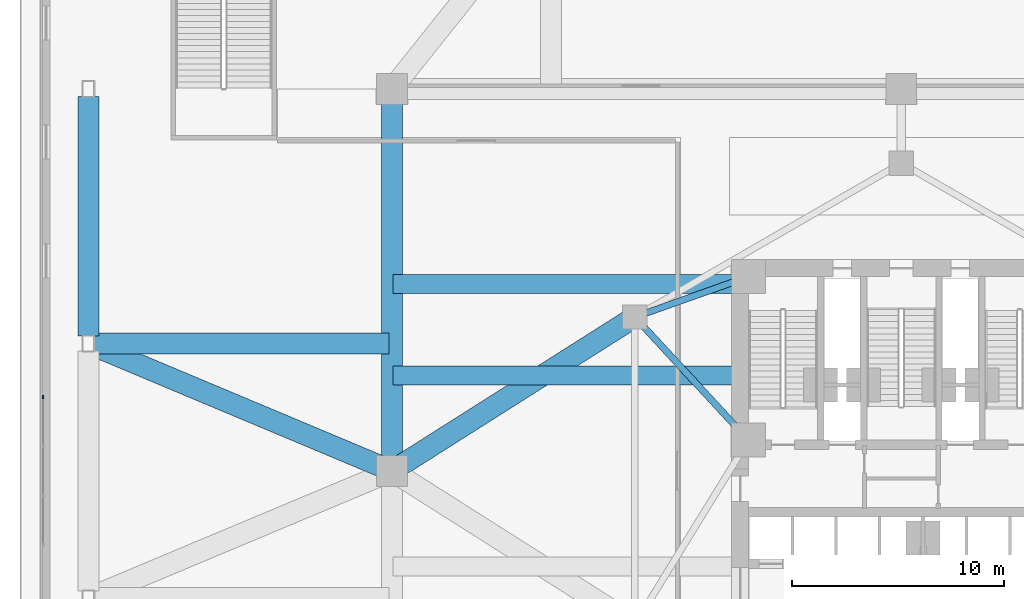
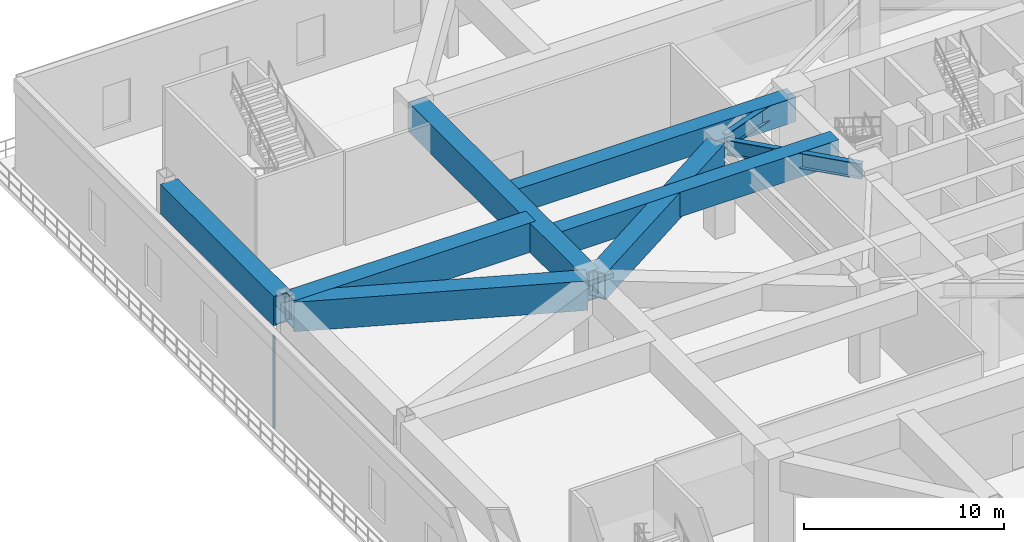
# One storey, part 6 of 25: 9 beams, 1 member, 1 element without a shape of its own.
"""IFC4 building model written with IfcOpenShell, lengths in metres."""

from ifc_helpers import new_model, si_unit, direction, frame, origin, origin_2d, place, context, subcontext, project, spatial, rectangle, hollow_rectangle, i_section, extrude, material, layer, layer_set, material_profile, profile_set, type_object, element, aggregate, save


model = new_model("IFC4")

# Units and contexts
model_context = context("Model", 3, precision=1e-05, world=origin(), true_north=direction((0.0, 1.0)))
body_context = subcontext(model_context, "Body", "Model", "MODEL_VIEW")
ifc_project = project(units=[si_unit("LENGTHUNIT", "METRE"), si_unit("AREAUNIT", "SQUARE_METRE"), si_unit("VOLUMEUNIT", "CUBIC_METRE"), si_unit("PLANEANGLEUNIT", "RADIAN"), si_unit("MASSUNIT", "GRAM", prefix="KILO")], contexts=[model_context])

# Site, building, storey
site_placement = place(None, origin())
site = spatial("IfcSite", under=ifc_project, at=site_placement, CompositionType="ELEMENT")
building_placement = place(site_placement, origin())
building = spatial("IfcBuilding", under=site, at=building_placement, Name="Apsidion Concourse Tower", CompositionType="ELEMENT")
storey_placement = place(building_placement, frame((0.0, 0.0, 11.5)))
storey = spatial("IfcBuildingStorey", under=building, at=storey_placement, Name="L02", CompositionType="ELEMENT", Elevation=11.5)

# Beams
ifc_material_1 = material(Name="Structural steel ASTM A992 Grade 50", Category="steel")
ifc_material_profile_1 = material_profile(ifc_material_1, i_section(OverallWidth=0.31005859375, OverallDepth=0.931884765625, WebThickness=0.02099609375, FlangeThickness=0.034423828125, at=origin_2d()), Name="W36X210")
ifc_profile_set_1 = profile_set([ifc_material_profile_1], Name="Structural steel ASTM A992 Grade 50")
beam_type_1 = type_object("IfcBeamType", Name="BM-G-W36", PredefinedType="USERDEFINED", material=ifc_profile_set_1)
beam_1_placement = place(storey_placement, frame((-12.28857421875, 6.956298828125, 5.23388671875), z_axis=(0.678712876106, -0.73440372535, 0.0), x_axis=(0.73440372535, 0.678712876106, 0.0)))
element("IfcBeam", 1, at=beam_1_placement, inside=storey, type_object=beam_type_1, Name="L02 Core Coupling Girder IC5-SC6", ObjectType="GIRDER", PredefinedType="USERDEFINED", context=body_context, shape_type="SweptSolid", body=[
    extrude(i_section(OverallWidth=0.31005859375, OverallDepth=0.931884765625, WebThickness=0.02099609375, FlangeThickness=0.034423828125, at=origin_2d()), origin(), (0.0, 0.0, 1.0), 7.097412109375),
])
beam_2_placement = place(storey_placement, frame((-12.18310546875, 7.383544921875, 5.23388671875), z_axis=(0.942533844539, 0.334110688094, 0.0), x_axis=(-0.334110688094, 0.942533844539, 0.0)))
element("IfcBeam", 2, at=beam_2_placement, inside=storey, type_object=beam_type_1, Name="L02 Core Coupling Girder IC5-SC5", ObjectType="GIRDER", PredefinedType="USERDEFINED", context=body_context, shape_type="SweptSolid", body=[
    extrude(i_section(OverallWidth=0.31005859375, OverallDepth=0.931884765625, WebThickness=0.02099609375, FlangeThickness=0.034423828125, at=origin_2d()), origin(), (0.0, 0.0, 1.0), 4.886962890625),
])
ifc_material_2 = material(Name="Concrete C50/60", Category="concrete")
ifc_material_profile_2 = material_profile(ifc_material_2, rectangle(XDim=0.89990234375, YDim=1.5, at=origin_2d()), Name="RC 900x1500")
ifc_profile_set_2 = profile_set([ifc_material_profile_2], Name="Concrete C50/60")
beam_type_2 = type_object("IfcBeamType", Name="BM-TB-RC15", PredefinedType="T_BEAM", material=ifc_profile_set_2)
for number, where, z_axis, x_axis, name in (
    (3, (-23.949951171875, 4.5, 4.949951171875), (1.0, 0.0, 0.0), (0.0, 1.0, 0.0), "L02 Convention Long-Span Tee Beam W3"),
    (4, (-23.949951171875, 8.800048828125, 4.949951171875), (1.0, 0.0, 0.0), (0.0, 1.0, 0.0), "L02 Convention Long-Span Tee Beam W4"),
):
    element("IfcBeam", number, at=place(storey_placement, frame(where, z_axis=z_axis, x_axis=x_axis)), inside=storey, type_object=beam_type_2, Name=name, PredefinedType="T_BEAM", context=body_context, shape_type="SweptSolid", body=[
        extrude(rectangle(XDim=0.89990234375, YDim=1.5, at=origin_2d()), origin(), (0.0, 0.0, 1.0), 16.449951171875),
    ])
ifc_material_3 = material(Name="Structural steel ASTM A572 Grade 50", Category="steel")
ifc_material_profile_3 = material_profile(ifc_material_3, hollow_rectangle(XDim=1.0, YDim=1.60009765625, WallThickness=0.074951171875, at=origin_2d()), Name="BOX1600X1000X75")
ifc_profile_set_3 = profile_set([ifc_material_profile_3], Name="Structural steel ASTM A572 Grade 50")
beam_type_3 = type_object("IfcBeamType", Name="BM-TR-1600", PredefinedType="USERDEFINED", material=ifc_profile_set_3)
beam_3_placement = place(storey_placement, frame((-23.704345703125, 0.1875, 4.89990234375), z_axis=(0.844671254714, 0.535285411215, 0.0), x_axis=(-0.535285411215, 0.844671254714, 0.0)))
element("IfcBeam", 5, at=beam_3_placement, inside=storey, type_object=beam_type_3, Name="L02 Podium Girder MC3-IC5", ObjectType="GIRDER", PredefinedType="USERDEFINED", context=body_context, shape_type="SweptSolid", body=[
    extrude(hollow_rectangle(XDim=1.0, YDim=1.60009765625, WallThickness=0.074951171875, at=origin_2d()), origin(), (0.0, 0.0, 1.0), 12.843505859375),
])
ifc_material_profile_4 = material_profile(ifc_material_3, hollow_rectangle(XDim=1.0, YDim=1.800048828125, WallThickness=0.080078125, at=origin_2d()), Name="BOX1800X1000X80")
ifc_profile_set_4 = profile_set([ifc_material_profile_4], Name="Structural steel ASTM A572 Grade 50")
beam_type_4 = type_object("IfcBeamType", Name="BM-TR-1800", PredefinedType="USERDEFINED", material=ifc_profile_set_4)
beam_4_placement = place(storey_placement, frame((-24.0, 0.35009765625, 4.800048828125), z_axis=(0.0, 1.0, 0.0), x_axis=(-1.0, 0.0, 0.0)))
element("IfcBeam", 6, at=beam_4_placement, inside=storey, type_object=beam_type_4, Name="L02 Podium Transfer Collector Girder MC3-MC5", ObjectType="GIRDER", PredefinedType="USERDEFINED", context=body_context, shape_type="SweptSolid", body=[
    extrude(hollow_rectangle(XDim=1.0, YDim=1.800048828125, WallThickness=0.080078125, at=origin_2d()), origin(), (0.0, 0.0, 1.0), 17.2998046875),
])
beam_5_placement = place(storey_placement, frame((-38.050048828125, 6.0, 4.800048828125), z_axis=(1.0, 0.0, 0.0), x_axis=(0.0, 1.0, 0.0)))
element("IfcBeam", 7, at=beam_5_placement, inside=storey, type_object=beam_type_4, Name="L02 Podium Radial Frame Girder PC03", ObjectType="GIRDER", PredefinedType="USERDEFINED", context=body_context, shape_type="SweptSolid", body=[
    extrude(hollow_rectangle(XDim=1.0, YDim=1.800048828125, WallThickness=0.080078125, at=origin_2d()), origin(), (0.0, 0.0, 1.0), 13.900146484375),
])
beam_6_placement = place(storey_placement, frame((-37.977294921875, 5.864501953125, 4.800048828125), z_axis=(0.92212437548, -0.386893572118, 0.0), x_axis=(0.386893572118, 0.92212437548, 0.0)))
element("IfcBeam", 8, at=beam_6_placement, inside=storey, type_object=beam_type_4, Name="L02 Podium Diagonal Frame Tie PC03", ObjectType="GIRDER", PredefinedType="USERDEFINED", context=body_context, shape_type="SweptSolid", body=[
    extrude(hollow_rectangle(XDim=1.0, YDim=1.800048828125, WallThickness=0.080078125, at=origin_2d()), origin(), (0.0, 0.0, 1.0), 14.8076171875),
])
beam_7_placement = place(storey_placement, frame((-38.300048828125, 6.35009765625, 4.800048828125), z_axis=(0.0, 1.0, 0.0), x_axis=(-1.0, 0.0, 0.0)))
element("IfcBeam", 9, at=beam_7_placement, inside=storey, type_object=beam_type_4, Name="L02 Podium Spandrel Girder PC03-PC04", ObjectType="GIRDER", PredefinedType="USERDEFINED", context=body_context, shape_type="SweptSolid", body=[
    extrude(hollow_rectangle(XDim=1.0, YDim=1.800048828125, WallThickness=0.080078125, at=origin_2d()), origin(), (0.0, 0.0, 1.0), 11.2998046875),
])

# Curtain wall, member
ifc_material_4 = material(Name="Insulated laminated low-E glass", Category="glass")
ifc_layer = layer(ifc_material_4, 0.199951171875)
ifc_layer_set = layer_set([ifc_layer], Name="Insulated laminated low-E glass")
curtain_wall_type = type_object("IfcCurtainWallType", Name="CW-SYS-02", PredefinedType="NOTDEFINED", material=ifc_layer_set)
curtain_wall_placement = place(storey_placement, origin())
curtain_wall = element("IfcCurtainWall", 10, at=curtain_wall_placement, inside=storey, type_object=curtain_wall_type, Name="L02 Podium Glazed Curtain Wall W", PredefinedType="NOTDEFINED")
ifc_material_5 = material(Name="Anodised aluminium EN AW-6063 T6", Category="aluminium")
ifc_material_profile_5 = material_profile(ifc_material_5, rectangle(XDim=0.06494140625, YDim=0.179931640625, at=origin_2d()), Name="ALU MULLION 65x180")
ifc_profile_set_5 = profile_set([ifc_material_profile_5], Name="Anodised aluminium EN AW-6063 T6")
member_type = type_object("IfcMemberType", Name="CWM-65X180", PredefinedType="MULLION", material=ifc_profile_set_5)
member_placement = place(storey_placement, frame((-40.43994140625, 3.4833984375, 0.0), z_axis=(0.0, 0.0, 1.0), x_axis=(-1.0, 0.0, 0.0)))
member = element("IfcMember", 11, at=member_placement, type_object=member_type, Name="CW-02 mullion 4", PredefinedType="MULLION", context=body_context, shape_type="SweptSolid", body=[
    extrude(rectangle(XDim=0.06494140625, YDim=0.179931640625, at=origin_2d()), origin(), (0.0, 0.0, 1.0), 5.64990234375),
])
aggregate(curtain_wall, [member])

save(model, "model.ifc")
